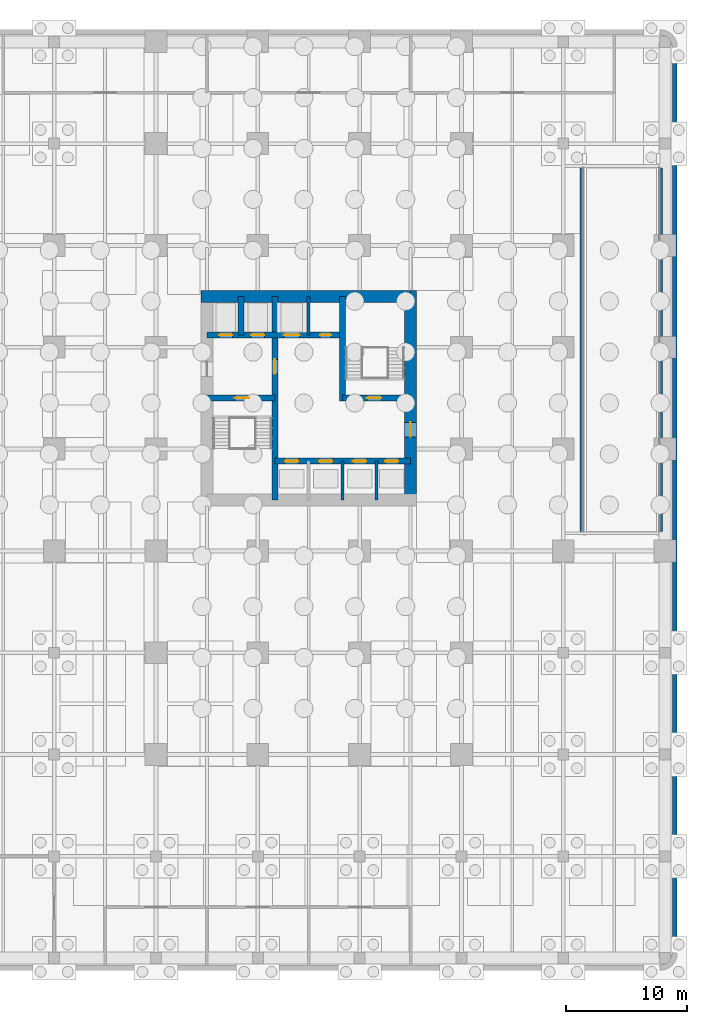
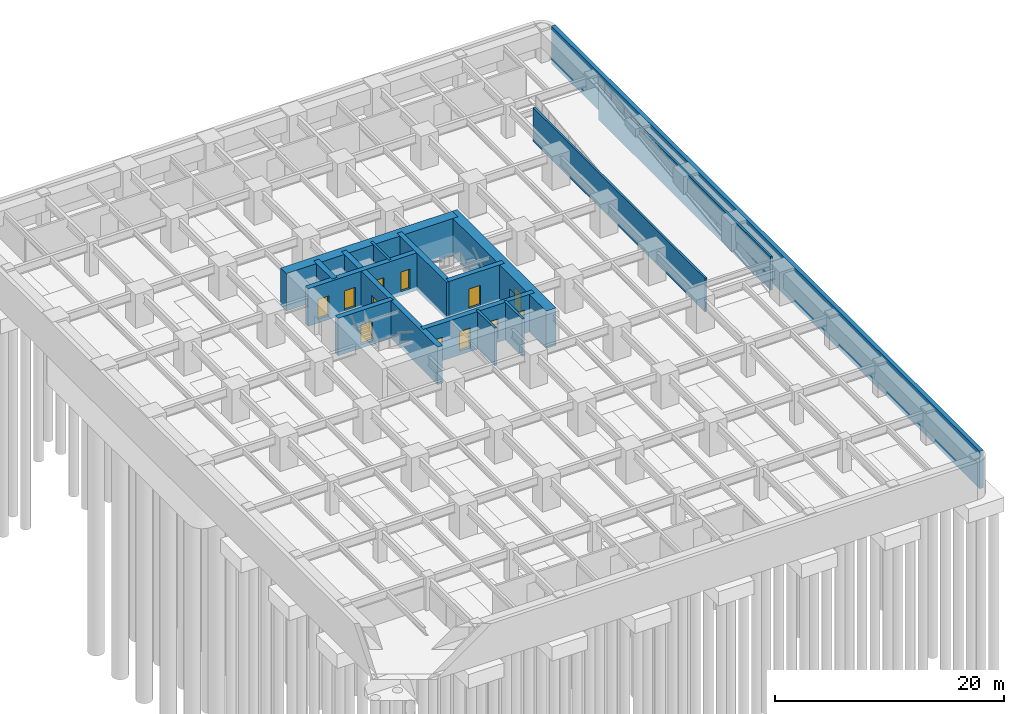
# One storey, part 6 of 11: 15 walls, 12 doors, 12 openings.
"""IFC4 building model written with IfcOpenShell, lengths in metres."""

from ifc_helpers import new_model, si_unit, direction, frame, frame_2d, origin, place, context, subcontext, project, spatial, rectangle, extrude, material, layer, layer_set, type_object, element, fill, save


model = new_model("IFC4")

# Units and contexts
model_context = context("Model", 3, precision=1e-05, world=origin(), true_north=direction((0.0, 1.0)))
body_context = subcontext(model_context, "Body", "Model", "MODEL_VIEW")
ifc_project = project(units=[si_unit("LENGTHUNIT", "METRE"), si_unit("AREAUNIT", "SQUARE_METRE"), si_unit("VOLUMEUNIT", "CUBIC_METRE"), si_unit("PLANEANGLEUNIT", "RADIAN"), si_unit("MASSUNIT", "GRAM", prefix="KILO")], contexts=[model_context])

# Site, building, storey
site_placement = place(None, origin())
site = spatial("IfcSite", under=ifc_project, at=site_placement, CompositionType="ELEMENT")
building_placement = place(site_placement, origin())
building = spatial("IfcBuilding", under=site, at=building_placement, Name="Torre Alcanfor", CompositionType="ELEMENT")
storey_placement = place(building_placement, frame((0.0, 0.0, -7.199951171875)))
storey = spatial("IfcBuildingStorey", under=building, at=storey_placement, Name="B2", CompositionType="ELEMENT", Elevation=-7.199951171875)

# Wall
ifc_material_1 = material(Name="Concrete f'c 70 MPa", Category="concrete")
ifc_layer_1 = layer(ifc_material_1, 0.39990234375)
ifc_layer_set_1 = layer_set([ifc_layer_1], Name="Basement retaining wall 400")
wall_type_1 = type_object("IfcWallType", Name="Basement retaining wall 400", PredefinedType="SOLIDWALL", material=ifc_layer_set_1)
wall_1_placement = place(storey_placement, frame((59.60009765625, -16.39990234375, -0.400146484375), z_axis=(0.0, 0.0, 1.0), x_axis=(0.0, 1.0, 0.0)))
element("IfcWall", 1, at=wall_1_placement, inside=storey, type_object=wall_type_1, Name="Retaining wall B2 1", PredefinedType="SOLIDWALL", context=body_context, shape_type="SweptSolid", body=[
    extrude(rectangle(XDim=74.7998046875, YDim=0.39990234375, at=frame_2d((37.39990234375, 0.0))), origin(), (0.0, 0.0, 1.0), 4.0),
])

# Wall, opening, door
ifc_material_2 = material(Name="Concrete f'c 70 MPa", Category="concrete")
ifc_layer_2 = layer(ifc_material_2, 0.5)
ifc_layer_set_2 = layer_set([ifc_layer_2], Name="Core inner wall 500 f'c70")
wall_type_2 = type_object("IfcWallType", Name="Core inner wall 500 f'c70", PredefinedType="SHEAR", material=ifc_layer_set_2)
wall_2_placement = place(storey_placement, frame((26.60009765625, 21.0, -0.400146484375), z_axis=(0.0, 0.0, 1.0), x_axis=(0.0, 1.0, 0.0)))
wall_2 = element("IfcWall", 2, at=wall_2_placement, inside=storey, type_object=wall_type_2, Name="Core wall X266 B2", PredefinedType="SHEAR", context=body_context, shape_type="SweptSolid", body=[
    extrude(rectangle(XDim=16.800048828125, YDim=0.5, at=frame_2d((8.39990234375, 0.0))), origin(), (0.0, 0.0, 1.0), 4.0),
])
opening_1_placement = place(wall_2_placement, frame((10.39990234375, 0.0, 0.39990234375)))
opening_1 = element("IfcOpeningElement", 3, at=opening_1_placement, cuts=wall_2, Name="Opening D-L1", PredefinedType="OPENING", context=body_context, shape_type="SweptSolid", body=[
    extrude(rectangle(XDim=1.199951171875, YDim=2.10009765625, at=frame_2d((0.60009765625, 1.050048828125))), frame((0.0, 0.260009765625, 0.0), z_axis=(0.0, -1.0, 0.0), x_axis=(1.0, 0.0, 0.0)), (0.0, 0.0, 1.0), 0.52001953125),
])
ifc_material_3 = material(Name="Galvanised steel sheet ASTM A653", Category="steel")
door_type_1 = type_object("IfcDoorType", Name="Lobby door FD120 1200x2100", OperationType="SINGLE_SWING_LEFT", PredefinedType="DOOR", material=ifc_material_3)
door_1_placement = place(opening_1_placement, origin())
door_1 = element("IfcDoor", 4, at=door_1_placement, inside=storey, type_object=door_type_1, Name="Lift lobby door B2", OperationType="SINGLE_SWING_LEFT", OverallHeight=2.10009765625, OverallWidth=1.199951171875, PredefinedType="DOOR", context=body_context, shape_type="SweptSolid", body=[
    extrude(rectangle(XDim=1.199951171875, YDim=2.10009765625, at=frame_2d((0.60009765625, 1.050048828125))), frame((0.0, 0.02490234375, 0.0), z_axis=(0.0, -1.0, 0.0), x_axis=(1.0, 0.0, 0.0)), (0.0, 0.0, 1.0), 0.050048828125),
])
fill(opening_1, door_1)

wall_3_placement = place(storey_placement, frame((21.0, 29.39990234375, -0.400146484375), z_axis=(0.0, 0.0, 1.0), x_axis=(1.0, 0.0, 0.0)))
wall_3 = element("IfcWall", 5, at=wall_3_placement, inside=storey, type_object=wall_type_2, Name="Core wall Y294W B2", PredefinedType="SHEAR", context=body_context, shape_type="SweptSolid", body=[
    extrude(rectangle(XDim=5.60009765625, YDim=0.5, at=frame_2d((2.800048828125, 0.0))), origin(), (0.0, 0.0, 1.0), 4.0),
])
opening_2_placement = place(wall_3_placement, frame((2.300048828125, 0.0, 0.39990234375)))
opening_2 = element("IfcOpeningElement", 6, at=opening_2_placement, cuts=wall_3, Name="Opening D-S2", PredefinedType="OPENING", context=body_context, shape_type="SweptSolid", body=[
    extrude(rectangle(XDim=1.199951171875, YDim=2.10009765625, at=frame_2d((0.60009765625, 1.050048828125))), frame((0.0, 0.260009765625, 0.0), z_axis=(0.0, -1.0, 0.0), x_axis=(1.0, 0.0, 0.0)), (0.0, 0.0, 1.0), 0.52001953125),
])
ifc_material_4 = material(Name="Galvanised steel sheet ASTM A653", Category="steel")
door_type_2 = type_object("IfcDoorType", Name="Stair enclosure door FD120 1200x2100", OperationType="SINGLE_SWING_LEFT", PredefinedType="DOOR", material=ifc_material_4)
door_2_placement = place(opening_2_placement, frame((1.199951171875, 0.0, 0.0), z_axis=(0.0, 0.0, 1.0), x_axis=(-1.0, 0.0, 0.0)))
door_2 = element("IfcDoor", 7, at=door_2_placement, inside=storey, type_object=door_type_2, Name="Stair S1 door B2", OperationType="SINGLE_SWING_LEFT", OverallHeight=2.10009765625, OverallWidth=1.199951171875, PredefinedType="DOOR", context=body_context, shape_type="SweptSolid", body=[
    extrude(rectangle(XDim=1.199951171875, YDim=2.10009765625, at=frame_2d((0.599853515625, 1.050048828125))), frame((0.0, 0.025146484375, 0.0), z_axis=(0.0, -1.0, 0.0), x_axis=(1.0, 0.0, 0.0)), (0.0, 0.0, 1.0), 0.050048828125),
])
fill(opening_2, door_2)

# Wall, openings, doors
wall_4_placement = place(storey_placement, frame((21.0, 34.60009765625, -0.400146484375), z_axis=(0.0, 0.0, 1.0), x_axis=(1.0, 0.0, 0.0)))
wall_4 = element("IfcWall", 8, at=wall_4_placement, inside=storey, type_object=wall_type_2, Name="Core wall Y346 B2", PredefinedType="SHEAR", context=body_context, shape_type="SweptSolid", body=[
    extrude(rectangle(XDim=11.199951171875, YDim=0.5, at=frame_2d((5.60009765625, 0.0))), origin(), (0.0, 0.0, 1.0), 4.0),
])
opening_3_placement = place(wall_4_placement, frame((9.35009765625, 0.0, 0.39990234375)))
opening_3 = element("IfcOpeningElement", 9, at=opening_3_placement, cuts=wall_4, Name="Opening D-Q1", PredefinedType="OPENING", context=body_context, shape_type="SweptSolid", body=[
    extrude(rectangle(XDim=0.89990234375, YDim=2.10009765625, at=frame_2d((0.449951171875, 1.050048828125))), frame((0.0, 0.260009765625, 0.0), z_axis=(0.0, -1.0, 0.0), x_axis=(1.0, 0.0, 0.0)), (0.0, 0.0, 1.0), 0.52001953125),
])
opening_4_placement = place(wall_4_placement, frame((1.0, 0.0, 0.39990234375)))
opening_4 = element("IfcOpeningElement", 10, at=opening_4_placement, cuts=wall_4, Name="Opening LD2", PredefinedType="OPENING", context=body_context, shape_type="SweptSolid", body=[
    extrude(rectangle(XDim=1.10009765625, YDim=2.10009765625, at=frame_2d((0.550048828125, 1.050048828125))), frame((0.0, 0.260009765625, 0.0), z_axis=(0.0, -1.0, 0.0), x_axis=(1.0, 0.0, 0.0)), (0.0, 0.0, 1.0), 0.52001953125),
])
opening_5_placement = place(wall_4_placement, frame((3.64990234375, 0.0, 0.39990234375)))
opening_5 = element("IfcOpeningElement", 11, at=opening_5_placement, cuts=wall_4, Name="Opening LD2", PredefinedType="OPENING", context=body_context, shape_type="SweptSolid", body=[
    extrude(rectangle(XDim=1.10009765625, YDim=2.10009765625, at=frame_2d((0.550048828125, 1.050048828125))), frame((0.0, 0.260009765625, 0.0), z_axis=(0.0, -1.0, 0.0), x_axis=(1.0, 0.0, 0.0)), (0.0, 0.0, 1.0), 0.52001953125),
])
opening_6_placement = place(wall_4_placement, frame((6.35009765625, 0.0, 0.39990234375)))
opening_6 = element("IfcOpeningElement", 12, at=opening_6_placement, cuts=wall_4, Name="Opening LD3", PredefinedType="OPENING", context=body_context, shape_type="SweptSolid", body=[
    extrude(rectangle(XDim=1.300048828125, YDim=2.10009765625, at=frame_2d((0.64990234375, 1.050048828125))), frame((0.0, 0.260009765625, 0.0), z_axis=(0.0, -1.0, 0.0), x_axis=(1.0, 0.0, 0.0)), (0.0, 0.0, 1.0), 0.52001953125),
])
ifc_material_5 = material(Name="Galvanised steel sheet ASTM A653", Category="steel")
door_type_3 = type_object("IfcDoorType", Name="Firefighting lift landing door 1100x2100", OperationType="DOUBLE_DOOR_SLIDING", PredefinedType="DOOR", material=ifc_material_5)
door_3_placement = place(opening_4_placement, origin())
door_3 = element("IfcDoor", 13, at=door_3_placement, inside=storey, type_object=door_type_3, Name="Lift landing door FL1 B2", OperationType="DOUBLE_DOOR_SLIDING", OverallHeight=2.10009765625, OverallWidth=1.10009765625, PredefinedType="DOOR", context=body_context, shape_type="SweptSolid", body=[
    extrude(rectangle(XDim=1.10009765625, YDim=2.10009765625, at=frame_2d((0.550048828125, 1.050048828125))), frame((0.0, 0.02490234375, 0.0), z_axis=(0.0, -1.0, 0.0), x_axis=(1.0, 0.0, 0.0)), (0.0, 0.0, 1.0), 0.050048828125),
])
fill(opening_4, door_3)
door_4_placement = place(opening_5_placement, origin())
door_4 = element("IfcDoor", 14, at=door_4_placement, inside=storey, type_object=door_type_3, Name="Lift landing door FL2 B2", OperationType="DOUBLE_DOOR_SLIDING", OverallHeight=2.10009765625, OverallWidth=1.10009765625, PredefinedType="DOOR", context=body_context, shape_type="SweptSolid", body=[
    extrude(rectangle(XDim=1.10009765625, YDim=2.10009765625, at=frame_2d((0.550048828125, 1.050048828125))), frame((0.0, 0.02490234375, 0.0), z_axis=(0.0, -1.0, 0.0), x_axis=(1.0, 0.0, 0.0)), (0.0, 0.0, 1.0), 0.050048828125),
])
fill(opening_5, door_4)
ifc_material_6 = material(Name="Galvanised steel sheet ASTM A653", Category="steel")
door_type_4 = type_object("IfcDoorType", Name="Riser access door FD120 900x2100", OperationType="SINGLE_SWING_LEFT", PredefinedType="DOOR", material=ifc_material_6)
door_5_placement = place(opening_3_placement, origin())
door_5 = element("IfcDoor", 15, at=door_5_placement, inside=storey, type_object=door_type_4, Name="Riser door B2", OperationType="SINGLE_SWING_LEFT", OverallHeight=2.10009765625, OverallWidth=0.89990234375, PredefinedType="DOOR", context=body_context, shape_type="SweptSolid", body=[
    extrude(rectangle(XDim=0.89990234375, YDim=2.10009765625, at=frame_2d((0.449951171875, 1.050048828125))), frame((0.0, 0.02490234375, 0.0), z_axis=(0.0, -1.0, 0.0), x_axis=(1.0, 0.0, 0.0)), (0.0, 0.0, 1.0), 0.050048828125),
])
fill(opening_3, door_5)
ifc_material_7 = material(Name="Galvanised steel sheet ASTM A653", Category="steel")
door_type_5 = type_object("IfcDoorType", Name="Service lift landing door 1300x2100", OperationType="DOUBLE_DOOR_SLIDING", PredefinedType="DOOR", material=ifc_material_7)
door_6_placement = place(opening_6_placement, origin())
door_6 = element("IfcDoor", 16, at=door_6_placement, inside=storey, type_object=door_type_5, Name="Lift landing door SL1 B2", OperationType="DOUBLE_DOOR_SLIDING", OverallHeight=2.10009765625, OverallWidth=1.300048828125, PredefinedType="DOOR", context=body_context, shape_type="SweptSolid", body=[
    extrude(rectangle(XDim=1.300048828125, YDim=2.10009765625, at=frame_2d((0.64990234375, 1.050048828125))), frame((0.0, 0.02490234375, 0.0), z_axis=(0.0, -1.0, 0.0), x_axis=(1.0, 0.0, 0.0)), (0.0, 0.0, 1.0), 0.050048828125),
])
fill(opening_6, door_6)

# Wall
wall_5_placement = place(storey_placement, frame((23.800048828125, 34.60009765625, -0.400146484375), z_axis=(0.0, 0.0, 1.0), x_axis=(0.0, 1.0, 0.0)))
element("IfcWall", 17, at=wall_5_placement, inside=storey, type_object=wall_type_2, Name="Core wall X238 B2", PredefinedType="SHEAR", context=body_context, shape_type="SweptSolid", body=[
    extrude(rectangle(XDim=3.199951171875, YDim=0.5, at=frame_2d((1.60009765625, 0.0))), origin(), (0.0, 0.0, 1.0), 4.0),
])

# Wall, openings, doors
wall_6_placement = place(storey_placement, frame((26.60009765625, 24.199951171875, -0.400146484375), z_axis=(0.0, 0.0, 1.0), x_axis=(1.0, 0.0, 0.0)))
wall_6 = element("IfcWall", 18, at=wall_6_placement, inside=storey, type_object=wall_type_2, Name="Core wall Y242 B2", PredefinedType="SHEAR", context=body_context, shape_type="SweptSolid", body=[
    extrude(rectangle(XDim=11.199951171875, YDim=0.5, at=frame_2d((5.60009765625, 0.0))), origin(), (0.0, 0.0, 1.0), 4.0),
])
opening_7_placement = place(wall_6_placement, frame((0.85009765625, 0.0, 0.39990234375)))
opening_7 = element("IfcOpeningElement", 19, at=opening_7_placement, cuts=wall_6, Name="Opening LD1", PredefinedType="OPENING", context=body_context, shape_type="SweptSolid", body=[
    extrude(rectangle(XDim=1.10009765625, YDim=2.10009765625, at=frame_2d((0.550048828125, 1.050048828125))), frame((0.0, 0.260009765625, 0.0), z_axis=(0.0, -1.0, 0.0), x_axis=(1.0, 0.0, 0.0)), (0.0, 0.0, 1.0), 0.52001953125),
])
opening_8_placement = place(wall_6_placement, frame((3.64990234375, 0.0, 0.39990234375)))
opening_8 = element("IfcOpeningElement", 20, at=opening_8_placement, cuts=wall_6, Name="Opening LD1", PredefinedType="OPENING", context=body_context, shape_type="SweptSolid", body=[
    extrude(rectangle(XDim=1.10009765625, YDim=2.10009765625, at=frame_2d((0.550048828125, 1.050048828125))), frame((0.0, 0.260009765625, 0.0), z_axis=(0.0, -1.0, 0.0), x_axis=(1.0, 0.0, 0.0)), (0.0, 0.0, 1.0), 0.52001953125),
])
opening_9_placement = place(wall_6_placement, frame((6.449951171875, 0.0, 0.39990234375)))
opening_9 = element("IfcOpeningElement", 21, at=opening_9_placement, cuts=wall_6, Name="Opening LD1", PredefinedType="OPENING", context=body_context, shape_type="SweptSolid", body=[
    extrude(rectangle(XDim=1.10009765625, YDim=2.10009765625, at=frame_2d((0.550048828125, 1.050048828125))), frame((0.0, 0.260009765625, 0.0), z_axis=(0.0, -1.0, 0.0), x_axis=(1.0, 0.0, 0.0)), (0.0, 0.0, 1.0), 0.52001953125),
])
opening_10_placement = place(wall_6_placement, frame((9.10009765625, 0.0, 0.39990234375)))
opening_10 = element("IfcOpeningElement", 22, at=opening_10_placement, cuts=wall_6, Name="Opening LD1", PredefinedType="OPENING", context=body_context, shape_type="SweptSolid", body=[
    extrude(rectangle(XDim=1.10009765625, YDim=2.10009765625, at=frame_2d((0.550048828125, 1.050048828125))), frame((0.0, 0.260009765625, 0.0), z_axis=(0.0, -1.0, 0.0), x_axis=(1.0, 0.0, 0.0)), (0.0, 0.0, 1.0), 0.52001953125),
])
ifc_material_8 = material(Name="Galvanised steel sheet ASTM A653", Category="steel")
door_type_6 = type_object("IfcDoorType", Name="Lift landing door 1100x2100", OperationType="DOUBLE_DOOR_SLIDING", PredefinedType="DOOR", material=ifc_material_8)
door_7_placement = place(opening_7_placement, origin())
door_7 = element("IfcDoor", 23, at=door_7_placement, inside=storey, type_object=door_type_6, Name="Lift landing door PA1 B2", OperationType="DOUBLE_DOOR_SLIDING", OverallHeight=2.10009765625, OverallWidth=1.10009765625, PredefinedType="DOOR", context=body_context, shape_type="SweptSolid", body=[
    extrude(rectangle(XDim=1.10009765625, YDim=2.10009765625, at=frame_2d((0.550048828125, 1.050048828125))), frame((0.0, 0.02490234375, 0.0), z_axis=(0.0, -1.0, 0.0), x_axis=(1.0, 0.0, 0.0)), (0.0, 0.0, 1.0), 0.050048828125),
])
fill(opening_7, door_7)
door_8_placement = place(opening_8_placement, origin())
door_8 = element("IfcDoor", 24, at=door_8_placement, inside=storey, type_object=door_type_6, Name="Lift landing door PA2 B2", OperationType="DOUBLE_DOOR_SLIDING", OverallHeight=2.10009765625, OverallWidth=1.10009765625, PredefinedType="DOOR", context=body_context, shape_type="SweptSolid", body=[
    extrude(rectangle(XDim=1.10009765625, YDim=2.10009765625, at=frame_2d((0.550048828125, 1.050048828125))), frame((0.0, 0.02490234375, 0.0), z_axis=(0.0, -1.0, 0.0), x_axis=(1.0, 0.0, 0.0)), (0.0, 0.0, 1.0), 0.050048828125),
])
fill(opening_8, door_8)
door_9_placement = place(opening_9_placement, origin())
door_9 = element("IfcDoor", 25, at=door_9_placement, inside=storey, type_object=door_type_6, Name="Lift landing door PA3 B2", OperationType="DOUBLE_DOOR_SLIDING", OverallHeight=2.10009765625, OverallWidth=1.10009765625, PredefinedType="DOOR", context=body_context, shape_type="SweptSolid", body=[
    extrude(rectangle(XDim=1.10009765625, YDim=2.10009765625, at=frame_2d((0.550048828125, 1.050048828125))), frame((0.0, 0.02490234375, 0.0), z_axis=(0.0, -1.0, 0.0), x_axis=(1.0, 0.0, 0.0)), (0.0, 0.0, 1.0), 0.050048828125),
])
fill(opening_9, door_9)
door_10_placement = place(opening_10_placement, origin())
door_10 = element("IfcDoor", 26, at=door_10_placement, inside=storey, type_object=door_type_6, Name="Lift landing door PA4 B2", OperationType="DOUBLE_DOOR_SLIDING", OverallHeight=2.10009765625, OverallWidth=1.10009765625, PredefinedType="DOOR", context=body_context, shape_type="SweptSolid", body=[
    extrude(rectangle(XDim=1.10009765625, YDim=2.10009765625, at=frame_2d((0.550048828125, 1.050048828125))), frame((0.0, 0.02490234375, 0.0), z_axis=(0.0, -1.0, 0.0), x_axis=(1.0, 0.0, 0.0)), (0.0, 0.0, 1.0), 0.050048828125),
])
fill(opening_10, door_10)

# Wall
wall_7_placement = place(storey_placement, frame((32.199951171875, 29.14990234375, -0.400146484375), z_axis=(0.0, 0.0, 1.0), x_axis=(0.0, 1.0, 0.0)))
element("IfcWall", 27, at=wall_7_placement, inside=storey, type_object=wall_type_2, Name="Core wall X322N B2", PredefinedType="SHEAR", context=body_context, shape_type="SweptSolid", body=[
    extrude(rectangle(XDim=8.650146484375, YDim=0.5, at=frame_2d((4.3251953125, 0.0))), origin(), (0.0, 0.0, 1.0), 4.0),
])

# Wall, opening, door
wall_8_placement = place(storey_placement, frame((32.199951171875, 29.39990234375, -0.400146484375), z_axis=(0.0, 0.0, 1.0), x_axis=(1.0, 0.0, 0.0)))
wall_8 = element("IfcWall", 28, at=wall_8_placement, inside=storey, type_object=wall_type_2, Name="Core wall Y294E B2", PredefinedType="SHEAR", context=body_context, shape_type="SweptSolid", body=[
    extrude(rectangle(XDim=5.60009765625, YDim=0.5, at=frame_2d((2.800048828125, 0.0))), origin(), (0.0, 0.0, 1.0), 4.0),
])
opening_11_placement = place(wall_8_placement, frame((2.0, 0.0, 0.39990234375)))
opening_11 = element("IfcOpeningElement", 29, at=opening_11_placement, cuts=wall_8, Name="Opening D-S2", PredefinedType="OPENING", context=body_context, shape_type="SweptSolid", body=[
    extrude(rectangle(XDim=1.199951171875, YDim=2.10009765625, at=frame_2d((0.60009765625, 1.050048828125))), frame((0.0, 0.260009765625, 0.0), z_axis=(0.0, -1.0, 0.0), x_axis=(1.0, 0.0, 0.0)), (0.0, 0.0, 1.0), 0.52001953125),
])
door_11_placement = place(opening_11_placement, origin())
door_11 = element("IfcDoor", 30, at=door_11_placement, inside=storey, type_object=door_type_2, Name="Stair S2 door B2", OperationType="SINGLE_SWING_LEFT", OverallHeight=2.10009765625, OverallWidth=1.199951171875, PredefinedType="DOOR", context=body_context, shape_type="SweptSolid", body=[
    extrude(rectangle(XDim=1.199951171875, YDim=2.10009765625, at=frame_2d((0.60009765625, 1.050048828125))), frame((0.0, 0.02490234375, 0.0), z_axis=(0.0, -1.0, 0.0), x_axis=(1.0, 0.0, 0.0)), (0.0, 0.0, 1.0), 0.050048828125),
])
fill(opening_11, door_11)

# Walls
ifc_material_9 = material(Name="Concrete f'c 70 MPa", Category="concrete")
ifc_layer_3 = layer(ifc_material_9, 0.25)
ifc_layer_set_3 = layer_set([ifc_layer_3], Name="Core shaft wall 250 f'c70")
wall_type_3 = type_object("IfcWallType", Name="Core shaft wall 250 f'c70", PredefinedType="SHEAR", material=ifc_layer_set_3)
for number, where, z_axis, x_axis, name in (
    (31, (32.199951171875, 21.0, -0.400146484375), (0.0, 0.0, 1.0), (0.0, 1.0, 0.0), "Core wall X322S B2"),
    (32, (35.0, 21.0, -0.400146484375), (0.0, 0.0, 1.0), (0.0, 1.0, 0.0), "Core wall X350S B2"),
    (33, (29.39990234375, 34.60009765625, -0.400146484375), (0.0, 0.0, 1.0), (0.0, 1.0, 0.0), "Core wall X294N B2"),
):
    element("IfcWall", number, at=place(storey_placement, frame(where, z_axis=z_axis, x_axis=x_axis)), inside=storey, type_object=wall_type_3, Name=name, PredefinedType="SHEAR", context=body_context, shape_type="SweptSolid", body=[
        extrude(rectangle(XDim=3.199951171875, YDim=0.25, at=frame_2d((1.60009765625, 0.0))), origin(), (0.0, 0.0, 1.0), 4.0),
    ])

# Wall, opening, door
ifc_material_10 = material(Name="Concrete f'c 70 MPa", Category="concrete")
ifc_layer_4 = layer(ifc_material_10, 1.0)
ifc_layer_set_4 = layer_set([ifc_layer_4], Name="Core wall 1000 f'c70")
wall_type_4 = type_object("IfcWallType", Name="Core wall 1000 f'c70", PredefinedType="SHEAR", material=ifc_layer_set_4)
wall_9_placement = place(storey_placement, frame((37.800048828125, 21.0, -0.400146484375), z_axis=(0.0, 0.0, 1.0), x_axis=(0.0, 1.0, 0.0)))
wall_9 = element("IfcWall", 34, at=wall_9_placement, inside=storey, type_object=wall_type_4, Name="Core wall OUT-E B2", PredefinedType="SHEAR", context=body_context, shape_type="SweptSolid", body=[
    extrude(rectangle(XDim=17.300048828125, YDim=1.0, at=frame_2d((8.64990234375, 0.0))), origin(), (0.0, 0.0, 1.0), 4.0),
])
opening_12_placement = place(wall_9_placement, frame((5.199951171875, 0.0, 0.39990234375)))
opening_12 = element("IfcOpeningElement", 35, at=opening_12_placement, cuts=wall_9, Name="Opening D-L1", PredefinedType="OPENING", context=body_context, shape_type="SweptSolid", body=[
    extrude(rectangle(XDim=1.199951171875, YDim=2.10009765625, at=frame_2d((0.60009765625, 1.050048828125))), frame((0.0, 0.510009765625, 0.0), z_axis=(0.0, -1.0, 0.0), x_axis=(1.0, 0.0, 0.0)), (0.0, 0.0, 1.0), 1.02001953125),
])
door_12_placement = place(opening_12_placement, frame((1.199951171875, 0.0, 0.0), z_axis=(0.0, 0.0, 1.0), x_axis=(-1.0, 0.0, 0.0)))
door_12 = element("IfcDoor", 36, at=door_12_placement, inside=storey, type_object=door_type_1, Name="Lift lobby entrance door B2", OperationType="SINGLE_SWING_RIGHT", OverallHeight=2.10009765625, OverallWidth=1.199951171875, PredefinedType="DOOR", context=body_context, shape_type="SweptSolid", body=[
    extrude(rectangle(XDim=1.199951171875, YDim=2.10009765625, at=frame_2d((0.599853515625, 1.050048828125))), frame((0.0, 0.025146484375, 0.0), z_axis=(0.0, -1.0, 0.0), x_axis=(1.0, 0.0, 0.0)), (0.0, 0.0, 1.0), 0.050048828125),
])
fill(opening_12, door_12)

# Walls
wall_10_placement = place(storey_placement, frame((37.800048828125, 37.800048828125, -0.400146484375), z_axis=(0.0, 0.0, 1.0), x_axis=(-1.0, 0.0, 0.0)))
element("IfcWall", 37, at=wall_10_placement, inside=storey, type_object=wall_type_4, Name="Core wall OUT-N B2", PredefinedType="SHEAR", context=body_context, shape_type="SweptSolid", body=[
    extrude(rectangle(XDim=17.300048828125, YDim=1.0, at=frame_2d((8.64990234375, 0.0))), origin(), (0.0, 0.0, 1.0), 4.0),
])
ifc_material_11 = material(Name="Concrete f'c 70 MPa", Category="concrete")
ifc_layer_5 = layer(ifc_material_11, 0.199951171875)
ifc_layer_set_5 = layer_set([ifc_layer_5], Name="Ramp trough wall 200")
wall_type_5 = type_object("IfcWallType", Name="Ramp trough wall 200", PredefinedType="SOLIDWALL", material=ifc_layer_set_5)
for number, where, z_axis, x_axis, name in (
    (38, (51.89990234375, 18.39990234375, 0.0), (0.0, 0.0, 1.0), (0.0, 1.0, 0.0), "Ramp trough wall R2 1"),
    (39, (58.5, 18.39990234375, 0.0), (0.0, 0.0, 1.0), (0.0, 1.0, 0.0), "Ramp trough wall R2 2"),
):
    element("IfcWall", number, at=place(storey_placement, frame(where, z_axis=z_axis, x_axis=x_axis)), inside=storey, type_object=wall_type_5, Name=name, PredefinedType="SOLIDWALL", context=body_context, shape_type="SweptSolid", body=[
        extrude(rectangle(XDim=30.0, YDim=0.199951171875, at=frame_2d((15.0, 0.0))), origin(), (0.0, 0.0, 1.0), 3.599853515625),
    ])

save(model, "model.ifc")
